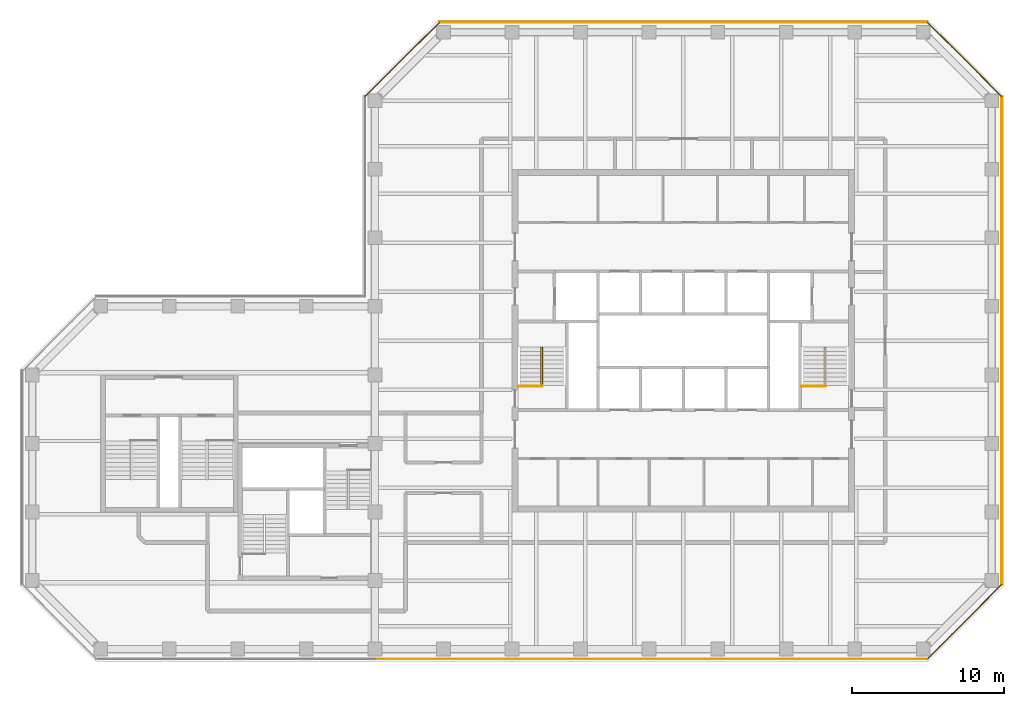
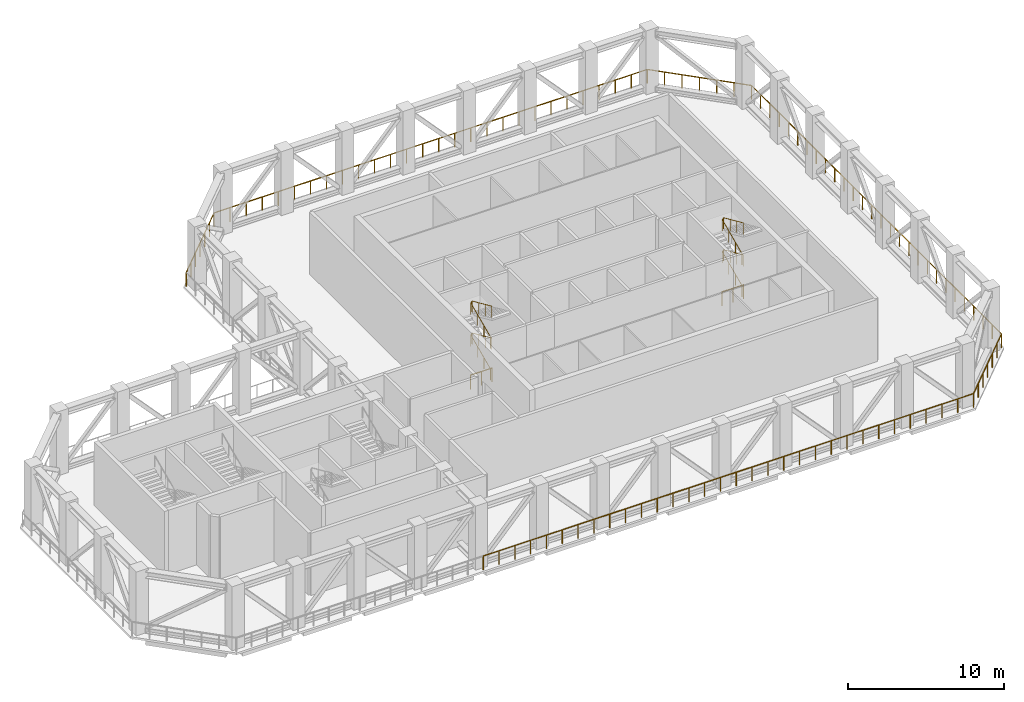
# One storey, part 13 of 13: 10 railings.
"""IFC4 building model written with IfcOpenShell, lengths in metres."""

from ifc_helpers import new_model, si_unit, direction, frame, origin, origin_2d, place, context, subcontext, project, spatial, circle, extrude, material, type_object, element, save


model = new_model("IFC4")

# Units and contexts
model_context = context("Model", 3, precision=1e-05, world=origin(), true_north=direction((0.0, 1.0)))
body_context = subcontext(model_context, "Body", "Model", "MODEL_VIEW")
ifc_project = project(units=[si_unit("LENGTHUNIT", "METRE"), si_unit("AREAUNIT", "SQUARE_METRE"), si_unit("VOLUMEUNIT", "CUBIC_METRE"), si_unit("PLANEANGLEUNIT", "RADIAN"), si_unit("MASSUNIT", "GRAM", prefix="KILO")], contexts=[model_context])

# Site, building, storey
site_placement = place(None, origin())
site = spatial("IfcSite", under=ifc_project, at=site_placement, CompositionType="ELEMENT")
building_placement = place(site_placement, origin())
building = spatial("IfcBuilding", under=site, at=building_placement, Name="Quoin Convention Tower", CompositionType="ELEMENT")
storey_placement = place(building_placement, frame((0.0, 0.0, 206.89990234375)))
storey = spatial("IfcBuildingStorey", under=building, at=storey_placement, Name="L54", CompositionType="ELEMENT", Elevation=206.89990234375)

# Railings
ifc_material = material(Name="Stainless steel", Category="steel")
railing_type_1 = type_object("IfcRailingType", Name="Guard 1100", PredefinedType="GUARDRAIL", material=ifc_material)
railing_1_placement = place(storey_placement, frame((36.0, 39.85009765625, 0.0)))
element("IfcRailing", 1, at=railing_1_placement, inside=storey, type_object=railing_type_1, Name="grd-L54-36000_40500", PredefinedType="GUARDRAIL", context=body_context, shape_type="SweptSolid", body=[
    extrude(circle(Radius=0.02392578125, at=origin_2d()), frame((0.0, 0.0, 1.076171875), z_axis=(1.0, 0.0, 0.0), x_axis=(0.0, 1.0, 0.0)), (0.0, 0.0, 1.0), 36.269287109375),
    extrude(circle(Radius=0.02099609375, at=origin_2d()), origin(), (0.0, 0.0, 1.0), 1.052001953125),
    extrude(circle(Radius=0.02099609375, at=origin_2d()), frame((1.169921875, 0.0, 0.0)), (0.0, 0.0, 1.0), 1.052001953125),
    extrude(circle(Radius=0.02099609375, at=origin_2d()), frame((2.33984375, 0.0, 0.0)), (0.0, 0.0, 1.0), 1.052001953125),
    extrude(circle(Radius=0.02099609375, at=origin_2d()), frame((3.510009765625, 0.0, 0.0)), (0.0, 0.0, 1.0), 1.052001953125),
    extrude(circle(Radius=0.02099609375, at=origin_2d()), frame((4.679931640625, 0.0, 0.0)), (0.0, 0.0, 1.0), 1.052001953125),
    extrude(circle(Radius=0.02099609375, at=origin_2d()), frame((5.849853515625, 0.0, 0.0)), (0.0, 0.0, 1.0), 1.052001953125),
    extrude(circle(Radius=0.02099609375, at=origin_2d()), frame((7.019775390625, 0.0, 0.0)), (0.0, 0.0, 1.0), 1.052001953125),
    extrude(circle(Radius=0.02099609375, at=origin_2d()), frame((8.18994140625, 0.0, 0.0)), (0.0, 0.0, 1.0), 1.052001953125),
    extrude(circle(Radius=0.02099609375, at=origin_2d()), frame((9.35986328125, 0.0, 0.0)), (0.0, 0.0, 1.0), 1.052001953125),
    extrude(circle(Radius=0.02099609375, at=origin_2d()), frame((10.52978515625, 0.0, 0.0)), (0.0, 0.0, 1.0), 1.052001953125),
    extrude(circle(Radius=0.02099609375, at=origin_2d()), frame((11.69970703125, 0.0, 0.0)), (0.0, 0.0, 1.0), 1.052001953125),
    extrude(circle(Radius=0.02099609375, at=origin_2d()), frame((12.86962890625, 0.0, 0.0)), (0.0, 0.0, 1.0), 1.052001953125),
    extrude(circle(Radius=0.02099609375, at=origin_2d()), frame((14.039794921875, 0.0, 0.0)), (0.0, 0.0, 1.0), 1.052001953125),
    extrude(circle(Radius=0.02099609375, at=origin_2d()), frame((15.209716796875, 0.0, 0.0)), (0.0, 0.0, 1.0), 1.052001953125),
    extrude(circle(Radius=0.02099609375, at=origin_2d()), frame((16.379638671875, 0.0, 0.0)), (0.0, 0.0, 1.0), 1.052001953125),
    extrude(circle(Radius=0.02099609375, at=origin_2d()), frame((17.549560546875, 0.0, 0.0)), (0.0, 0.0, 1.0), 1.052001953125),
    extrude(circle(Radius=0.02099609375, at=origin_2d()), frame((18.7197265625, 0.0, 0.0)), (0.0, 0.0, 1.0), 1.052001953125),
    extrude(circle(Radius=0.02099609375, at=origin_2d()), frame((19.8896484375, 0.0, 0.0)), (0.0, 0.0, 1.0), 1.052001953125),
    extrude(circle(Radius=0.02099609375, at=origin_2d()), frame((21.0595703125, 0.0, 0.0)), (0.0, 0.0, 1.0), 1.052001953125),
    extrude(circle(Radius=0.02099609375, at=origin_2d()), frame((22.2294921875, 0.0, 0.0)), (0.0, 0.0, 1.0), 1.052001953125),
    extrude(circle(Radius=0.02099609375, at=origin_2d()), frame((23.399658203125, 0.0, 0.0)), (0.0, 0.0, 1.0), 1.052001953125),
    extrude(circle(Radius=0.02099609375, at=origin_2d()), frame((24.569580078125, 0.0, 0.0)), (0.0, 0.0, 1.0), 1.052001953125),
    extrude(circle(Radius=0.02099609375, at=origin_2d()), frame((25.739501953125, 0.0, 0.0)), (0.0, 0.0, 1.0), 1.052001953125),
    extrude(circle(Radius=0.02099609375, at=origin_2d()), frame((26.909423828125, 0.0, 0.0)), (0.0, 0.0, 1.0), 1.052001953125),
    extrude(circle(Radius=0.02099609375, at=origin_2d()), frame((28.079345703125, 0.0, 0.0)), (0.0, 0.0, 1.0), 1.052001953125),
    extrude(circle(Radius=0.02099609375, at=origin_2d()), frame((29.24951171875, 0.0, 0.0)), (0.0, 0.0, 1.0), 1.052001953125),
    extrude(circle(Radius=0.02099609375, at=origin_2d()), frame((30.41943359375, 0.0, 0.0)), (0.0, 0.0, 1.0), 1.052001953125),
    extrude(circle(Radius=0.02099609375, at=origin_2d()), frame((31.58935546875, 0.0, 0.0)), (0.0, 0.0, 1.0), 1.052001953125),
    extrude(circle(Radius=0.02099609375, at=origin_2d()), frame((32.75927734375, 0.0, 0.0)), (0.0, 0.0, 1.0), 1.052001953125),
    extrude(circle(Radius=0.02099609375, at=origin_2d()), frame((33.929443359375, 0.0, 0.0)), (0.0, 0.0, 1.0), 1.052001953125),
    extrude(circle(Radius=0.02099609375, at=origin_2d()), frame((35.099365234375, 0.0, 0.0)), (0.0, 0.0, 1.0), 1.052001953125),
    extrude(circle(Radius=0.02099609375, at=origin_2d()), frame((36.269287109375, 0.0, 0.0)), (0.0, 0.0, 1.0), 1.052001953125),
])
railing_2_placement = place(storey_placement, frame((72.269287109375, 39.85009765625, 0.0)))
element("IfcRailing", 2, at=railing_2_placement, inside=storey, type_object=railing_type_1, Name="grd-L54-72000_40500", PredefinedType="GUARDRAIL", context=body_context, shape_type="SweptSolid", body=[
    extrude(circle(Radius=0.02392578125, at=origin_2d()), frame((0.0, 0.0, 1.076171875), z_axis=(0.707106781187, 0.707106781187, 0.0), x_axis=(-0.707106781187, 0.707106781187, 0.0)), (0.0, 0.0, 1.0), 6.90234375),
    extrude(circle(Radius=0.02099609375, at=origin_2d()), origin(), (0.0, 0.0, 1.0), 1.052001953125),
    extrude(circle(Radius=0.02099609375, at=origin_2d()), frame((0.8134765625, 0.8134765625, 0.0)), (0.0, 0.0, 1.0), 1.052001953125),
    extrude(circle(Radius=0.02099609375, at=origin_2d()), frame((1.626953125, 1.626953125, 0.0)), (0.0, 0.0, 1.0), 1.052001953125),
    extrude(circle(Radius=0.02099609375, at=origin_2d()), frame((2.4404296875, 2.4404296875, 0.0)), (0.0, 0.0, 1.0), 1.052001953125),
    extrude(circle(Radius=0.02099609375, at=origin_2d()), frame((3.253662109375, 3.253662109375, 0.0)), (0.0, 0.0, 1.0), 1.052001953125),
    extrude(circle(Radius=0.02099609375, at=origin_2d()), frame((4.067138671875, 4.067138671875, 0.0)), (0.0, 0.0, 1.0), 1.052001953125),
    extrude(circle(Radius=0.02099609375, at=origin_2d()), frame((4.880615234375, 4.880615234375, 0.0)), (0.0, 0.0, 1.0), 1.052001953125),
])
railing_3_placement = place(storey_placement, frame((77.14990234375, 44.730712890625, 0.0)))
element("IfcRailing", 3, at=railing_3_placement, inside=storey, type_object=railing_type_1, Name="grd-L54-76500_45000", PredefinedType="GUARDRAIL", context=body_context, shape_type="SweptSolid", body=[
    extrude(circle(Radius=0.02392578125, at=origin_2d()), frame((0.0, 0.0, 1.076171875), z_axis=(0.0, 1.0, 0.0), x_axis=(-1.0, 0.0, 0.0)), (0.0, 0.0, 1.0), 32.03857421875),
    extrude(circle(Radius=0.02099609375, at=origin_2d()), origin(), (0.0, 0.0, 1.0), 1.052001953125),
    extrude(circle(Radius=0.02099609375, at=origin_2d()), frame((0.0, 1.1865234375, 0.0)), (0.0, 0.0, 1.0), 1.052001953125),
    extrude(circle(Radius=0.02099609375, at=origin_2d()), frame((0.0, 2.373291015625, 0.0)), (0.0, 0.0, 1.0), 1.052001953125),
    extrude(circle(Radius=0.02099609375, at=origin_2d()), frame((0.0, 3.559814453125, 0.0)), (0.0, 0.0, 1.0), 1.052001953125),
    extrude(circle(Radius=0.02099609375, at=origin_2d()), frame((0.0, 4.746337890625, 0.0)), (0.0, 0.0, 1.0), 1.052001953125),
    extrude(circle(Radius=0.02099609375, at=origin_2d()), frame((0.0, 5.93310546875, 0.0)), (0.0, 0.0, 1.0), 1.052001953125),
    extrude(circle(Radius=0.02099609375, at=origin_2d()), frame((0.0, 7.11962890625, 0.0)), (0.0, 0.0, 1.0), 1.052001953125),
    extrude(circle(Radius=0.02099609375, at=origin_2d()), frame((0.0, 8.306396484375, 0.0)), (0.0, 0.0, 1.0), 1.052001953125),
    extrude(circle(Radius=0.02099609375, at=origin_2d()), frame((0.0, 9.492919921875, 0.0)), (0.0, 0.0, 1.0), 1.052001953125),
    extrude(circle(Radius=0.02099609375, at=origin_2d()), frame((0.0, 10.679443359375, 0.0)), (0.0, 0.0, 1.0), 1.052001953125),
    extrude(circle(Radius=0.02099609375, at=origin_2d()), frame((0.0, 11.8662109375, 0.0)), (0.0, 0.0, 1.0), 1.052001953125),
    extrude(circle(Radius=0.02099609375, at=origin_2d()), frame((0.0, 13.052734375, 0.0)), (0.0, 0.0, 1.0), 1.052001953125),
    extrude(circle(Radius=0.02099609375, at=origin_2d()), frame((0.0, 14.2392578125, 0.0)), (0.0, 0.0, 1.0), 1.052001953125),
    extrude(circle(Radius=0.02099609375, at=origin_2d()), frame((0.0, 15.426025390625, 0.0)), (0.0, 0.0, 1.0), 1.052001953125),
    extrude(circle(Radius=0.02099609375, at=origin_2d()), frame((0.0, 16.612548828125, 0.0)), (0.0, 0.0, 1.0), 1.052001953125),
    extrude(circle(Radius=0.02099609375, at=origin_2d()), frame((0.0, 17.79931640625, 0.0)), (0.0, 0.0, 1.0), 1.052001953125),
    extrude(circle(Radius=0.02099609375, at=origin_2d()), frame((0.0, 18.98583984375, 0.0)), (0.0, 0.0, 1.0), 1.052001953125),
    extrude(circle(Radius=0.02099609375, at=origin_2d()), frame((0.0, 20.17236328125, 0.0)), (0.0, 0.0, 1.0), 1.052001953125),
    extrude(circle(Radius=0.02099609375, at=origin_2d()), frame((0.0, 21.359130859375, 0.0)), (0.0, 0.0, 1.0), 1.052001953125),
    extrude(circle(Radius=0.02099609375, at=origin_2d()), frame((0.0, 22.545654296875, 0.0)), (0.0, 0.0, 1.0), 1.052001953125),
    extrude(circle(Radius=0.02099609375, at=origin_2d()), frame((0.0, 23.732177734375, 0.0)), (0.0, 0.0, 1.0), 1.052001953125),
    extrude(circle(Radius=0.02099609375, at=origin_2d()), frame((0.0, 24.9189453125, 0.0)), (0.0, 0.0, 1.0), 1.052001953125),
    extrude(circle(Radius=0.02099609375, at=origin_2d()), frame((0.0, 26.10546875, 0.0)), (0.0, 0.0, 1.0), 1.052001953125),
    extrude(circle(Radius=0.02099609375, at=origin_2d()), frame((0.0, 27.292236328125, 0.0)), (0.0, 0.0, 1.0), 1.052001953125),
    extrude(circle(Radius=0.02099609375, at=origin_2d()), frame((0.0, 28.478759765625, 0.0)), (0.0, 0.0, 1.0), 1.052001953125),
    extrude(circle(Radius=0.02099609375, at=origin_2d()), frame((0.0, 29.665283203125, 0.0)), (0.0, 0.0, 1.0), 1.052001953125),
    extrude(circle(Radius=0.02099609375, at=origin_2d()), frame((0.0, 30.85205078125, 0.0)), (0.0, 0.0, 1.0), 1.052001953125),
    extrude(circle(Radius=0.02099609375, at=origin_2d()), frame((0.0, 32.03857421875, 0.0)), (0.0, 0.0, 1.0), 1.052001953125),
])
railing_4_placement = place(storey_placement, frame((77.14990234375, 76.769287109375, 0.0)))
element("IfcRailing", 4, at=railing_4_placement, inside=storey, type_object=railing_type_1, Name="grd-L54-76500_76500", PredefinedType="GUARDRAIL", context=body_context, shape_type="SweptSolid", body=[
    extrude(circle(Radius=0.02392578125, at=origin_2d()), frame((0.0, 0.0, 1.076171875), z_axis=(-0.707106781187, 0.707106781187, 0.0), x_axis=(-0.707106781187, -0.707106781187, 0.0)), (0.0, 0.0, 1.0), 6.90234375),
    extrude(circle(Radius=0.02099609375, at=origin_2d()), origin(), (0.0, 0.0, 1.0), 1.052001953125),
    extrude(circle(Radius=0.02099609375, at=origin_2d()), frame((-0.8134765625, 0.8134765625, 0.0)), (0.0, 0.0, 1.0), 1.052001953125),
    extrude(circle(Radius=0.02099609375, at=origin_2d()), frame((-1.626953125, 1.626953125, 0.0)), (0.0, 0.0, 1.0), 1.052001953125),
    extrude(circle(Radius=0.02099609375, at=origin_2d()), frame((-2.4404296875, 2.4404296875, 0.0)), (0.0, 0.0, 1.0), 1.052001953125),
    extrude(circle(Radius=0.02099609375, at=origin_2d()), frame((-3.253662109375, 3.253662109375, 0.0)), (0.0, 0.0, 1.0), 1.052001953125),
    extrude(circle(Radius=0.02099609375, at=origin_2d()), frame((-4.067138671875, 4.067138671875, 0.0)), (0.0, 0.0, 1.0), 1.052001953125),
    extrude(circle(Radius=0.02099609375, at=origin_2d()), frame((-4.880615234375, 4.880615234375, 0.0)), (0.0, 0.0, 1.0), 1.052001953125),
])
railing_5_placement = place(storey_placement, frame((72.269287109375, 81.64990234375, 0.0)))
element("IfcRailing", 5, at=railing_5_placement, inside=storey, type_object=railing_type_1, Name="grd-L54-72000_81000", PredefinedType="GUARDRAIL", context=body_context, shape_type="SweptSolid", body=[
    extrude(circle(Radius=0.02392578125, at=origin_2d()), frame((0.0, 0.0, 1.076171875), z_axis=(-1.0, 0.0, 0.0), x_axis=(0.0, -1.0, 0.0)), (0.0, 0.0, 1.0), 32.03857421875),
    extrude(circle(Radius=0.02099609375, at=origin_2d()), origin(), (0.0, 0.0, 1.0), 1.052001953125),
    extrude(circle(Radius=0.02099609375, at=origin_2d()), frame((-1.1865234375, 0.0, 0.0)), (0.0, 0.0, 1.0), 1.052001953125),
    extrude(circle(Radius=0.02099609375, at=origin_2d()), frame((-2.373291015625, 0.0, 0.0)), (0.0, 0.0, 1.0), 1.052001953125),
    extrude(circle(Radius=0.02099609375, at=origin_2d()), frame((-3.559814453125, 0.0, 0.0)), (0.0, 0.0, 1.0), 1.052001953125),
    extrude(circle(Radius=0.02099609375, at=origin_2d()), frame((-4.746337890625, 0.0, 0.0)), (0.0, 0.0, 1.0), 1.052001953125),
    extrude(circle(Radius=0.02099609375, at=origin_2d()), frame((-5.93310546875, 0.0, 0.0)), (0.0, 0.0, 1.0), 1.052001953125),
    extrude(circle(Radius=0.02099609375, at=origin_2d()), frame((-7.11962890625, 0.0, 0.0)), (0.0, 0.0, 1.0), 1.052001953125),
    extrude(circle(Radius=0.02099609375, at=origin_2d()), frame((-8.306396484375, 0.0, 0.0)), (0.0, 0.0, 1.0), 1.052001953125),
    extrude(circle(Radius=0.02099609375, at=origin_2d()), frame((-9.492919921875, 0.0, 0.0)), (0.0, 0.0, 1.0), 1.052001953125),
    extrude(circle(Radius=0.02099609375, at=origin_2d()), frame((-10.679443359375, 0.0, 0.0)), (0.0, 0.0, 1.0), 1.052001953125),
    extrude(circle(Radius=0.02099609375, at=origin_2d()), frame((-11.8662109375, 0.0, 0.0)), (0.0, 0.0, 1.0), 1.052001953125),
    extrude(circle(Radius=0.02099609375, at=origin_2d()), frame((-13.052734375, 0.0, 0.0)), (0.0, 0.0, 1.0), 1.052001953125),
    extrude(circle(Radius=0.02099609375, at=origin_2d()), frame((-14.2392578125, 0.0, 0.0)), (0.0, 0.0, 1.0), 1.052001953125),
    extrude(circle(Radius=0.02099609375, at=origin_2d()), frame((-15.426025390625, 0.0, 0.0)), (0.0, 0.0, 1.0), 1.052001953125),
    extrude(circle(Radius=0.02099609375, at=origin_2d()), frame((-16.612548828125, 0.0, 0.0)), (0.0, 0.0, 1.0), 1.052001953125),
    extrude(circle(Radius=0.02099609375, at=origin_2d()), frame((-17.79931640625, 0.0, 0.0)), (0.0, 0.0, 1.0), 1.052001953125),
    extrude(circle(Radius=0.02099609375, at=origin_2d()), frame((-18.98583984375, 0.0, 0.0)), (0.0, 0.0, 1.0), 1.052001953125),
    extrude(circle(Radius=0.02099609375, at=origin_2d()), frame((-20.17236328125, 0.0, 0.0)), (0.0, 0.0, 1.0), 1.052001953125),
    extrude(circle(Radius=0.02099609375, at=origin_2d()), frame((-21.359130859375, 0.0, 0.0)), (0.0, 0.0, 1.0), 1.052001953125),
    extrude(circle(Radius=0.02099609375, at=origin_2d()), frame((-22.545654296875, 0.0, 0.0)), (0.0, 0.0, 1.0), 1.052001953125),
    extrude(circle(Radius=0.02099609375, at=origin_2d()), frame((-23.732177734375, 0.0, 0.0)), (0.0, 0.0, 1.0), 1.052001953125),
    extrude(circle(Radius=0.02099609375, at=origin_2d()), frame((-24.9189453125, 0.0, 0.0)), (0.0, 0.0, 1.0), 1.052001953125),
    extrude(circle(Radius=0.02099609375, at=origin_2d()), frame((-26.10546875, 0.0, 0.0)), (0.0, 0.0, 1.0), 1.052001953125),
    extrude(circle(Radius=0.02099609375, at=origin_2d()), frame((-27.292236328125, 0.0, 0.0)), (0.0, 0.0, 1.0), 1.052001953125),
    extrude(circle(Radius=0.02099609375, at=origin_2d()), frame((-28.478759765625, 0.0, 0.0)), (0.0, 0.0, 1.0), 1.052001953125),
    extrude(circle(Radius=0.02099609375, at=origin_2d()), frame((-29.665283203125, 0.0, 0.0)), (0.0, 0.0, 1.0), 1.052001953125),
    extrude(circle(Radius=0.02099609375, at=origin_2d()), frame((-30.85205078125, 0.0, 0.0)), (0.0, 0.0, 1.0), 1.052001953125),
    extrude(circle(Radius=0.02099609375, at=origin_2d()), frame((-32.03857421875, 0.0, 0.0)), (0.0, 0.0, 1.0), 1.052001953125),
])
railing_6_placement = place(storey_placement, frame((40.230712890625, 81.64990234375, 0.0)))
element("IfcRailing", 6, at=railing_6_placement, inside=storey, type_object=railing_type_1, Name="grd-L54-40500_81000", PredefinedType="GUARDRAIL", context=body_context, shape_type="SweptSolid", body=[
    extrude(circle(Radius=0.02392578125, at=origin_2d()), frame((0.0, 0.0, 1.076171875), z_axis=(-0.707106781187, -0.707106781187, 0.0), x_axis=(0.707106781187, -0.707106781187, 0.0)), (0.0, 0.0, 1.0), 6.90234375),
    extrude(circle(Radius=0.02099609375, at=origin_2d()), origin(), (0.0, 0.0, 1.0), 1.052001953125),
    extrude(circle(Radius=0.02099609375, at=origin_2d()), frame((-0.8134765625, -0.8134765625, 0.0)), (0.0, 0.0, 1.0), 1.052001953125),
    extrude(circle(Radius=0.02099609375, at=origin_2d()), frame((-1.626953125, -1.626953125, 0.0)), (0.0, 0.0, 1.0), 1.052001953125),
    extrude(circle(Radius=0.02099609375, at=origin_2d()), frame((-2.4404296875, -2.4404296875, 0.0)), (0.0, 0.0, 1.0), 1.052001953125),
    extrude(circle(Radius=0.02099609375, at=origin_2d()), frame((-3.253662109375, -3.253662109375, 0.0)), (0.0, 0.0, 1.0), 1.052001953125),
    extrude(circle(Radius=0.02099609375, at=origin_2d()), frame((-4.067138671875, -4.067138671875, 0.0)), (0.0, 0.0, 1.0), 1.052001953125),
    extrude(circle(Radius=0.02099609375, at=origin_2d()), frame((-4.880615234375, -4.880615234375, 0.0)), (0.0, 0.0, 1.0), 1.052001953125),
])
railing_type_2 = type_object("IfcRailingType", Name="Stair handrail 900", PredefinedType="HANDRAIL", material=ifc_material)
railing_7_placement = place(storey_placement, frame((46.905029296875, 57.800048828125, 0.125)))
element("IfcRailing", 7, at=railing_7_placement, inside=storey, type_object=railing_type_2, Name="SD1 handrail 1", PredefinedType="HANDRAIL", context=body_context, shape_type="SweptSolid", body=[
    extrude(circle(Radius=0.02392578125, at=origin_2d()), frame((0.0, 0.0, 0.8759765625), z_axis=(0.0, 0.913139058521, 0.407648205936), x_axis=(-1.0, 0.0, 0.0)), (0.0, 0.0, 1.0), 2.759765625),
    extrude(circle(Radius=0.02392578125, at=origin_2d()), frame((0.0, 2.52001953125, 2.0009765625), z_axis=(0.584680334893, 0.0, 0.811263770909), x_axis=(0.0, 1.0, 0.0)), (0.0, 0.0, 1.0), 0.154052734375),
    extrude(circle(Radius=0.02392578125, at=origin_2d()), frame((0.090087890625, 2.52001953125, 2.1259765625), z_axis=(0.0, -0.913139058521, 0.407648205936), x_axis=(1.0, 0.0, 0.0)), (0.0, 0.0, 1.0), 2.759765625),
    extrude(circle(Radius=0.02392578125, at=origin_2d()), frame((0.090087890625, 0.0, 3.2509765625), z_axis=(-0.584680334893, 0.0, 0.811263770909), x_axis=(0.0, -1.0, 0.0)), (0.0, 0.0, 1.0), 0.154052734375),
    extrude(circle(Radius=0.02392578125, at=origin_2d()), frame((0.0, 0.0, 3.3759765625), z_axis=(0.0, 0.913139058521, 0.407648205936), x_axis=(-1.0, 0.0, 0.0)), (0.0, 0.0, 1.0), 2.759765625),
    extrude(circle(Radius=0.02392578125, at=origin_2d()), frame((0.0, 2.52001953125, 4.5009765625), z_axis=(0.584680334893, 0.0, 0.811263770909), x_axis=(0.0, 1.0, 0.0)), (0.0, 0.0, 1.0), 0.154052734375),
    extrude(circle(Radius=0.02392578125, at=origin_2d()), frame((0.090087890625, 2.52001953125, 4.6259765625), z_axis=(0.0, -0.913139058521, 0.407648205936), x_axis=(1.0, 0.0, 0.0)), (0.0, 0.0, 1.0), 2.759765625),
    extrude(circle(Radius=0.02099609375, at=origin_2d()), origin(), (0.0, 0.0, 1.0), 0.851806640625),
    extrude(circle(Radius=0.02099609375, at=origin_2d()), frame((0.0, 0.840087890625, 0.375)), (0.0, 0.0, 1.0), 0.851806640625),
    extrude(circle(Radius=0.02099609375, at=origin_2d()), frame((0.0, 1.679931640625, 0.75)), (0.0, 0.0, 1.0), 0.851806640625),
    extrude(circle(Radius=0.02099609375, at=origin_2d()), frame((0.0, 2.52001953125, 1.125)), (0.0, 0.0, 1.0), 0.851806640625),
    extrude(circle(Radius=0.02099609375, at=origin_2d()), frame((0.090087890625, 2.52001953125, 1.25)), (0.0, 0.0, 1.0), 0.851806640625),
    extrude(circle(Radius=0.02099609375, at=origin_2d()), frame((0.090087890625, 1.679931640625, 1.625)), (0.0, 0.0, 1.0), 0.851806640625),
    extrude(circle(Radius=0.02099609375, at=origin_2d()), frame((0.090087890625, 0.840087890625, 2.0)), (0.0, 0.0, 1.0), 0.851806640625),
    extrude(circle(Radius=0.02099609375, at=origin_2d()), frame((0.090087890625, 0.0, 2.375)), (0.0, 0.0, 1.0), 0.851806640625),
    extrude(circle(Radius=0.02099609375, at=origin_2d()), frame((0.0, 0.0, 2.5)), (0.0, 0.0, 1.0), 0.851806640625),
    extrude(circle(Radius=0.02099609375, at=origin_2d()), frame((0.0, 0.840087890625, 2.875)), (0.0, 0.0, 1.0), 0.851806640625),
    extrude(circle(Radius=0.02099609375, at=origin_2d()), frame((0.0, 1.679931640625, 3.25)), (0.0, 0.0, 1.0), 0.851806640625),
    extrude(circle(Radius=0.02099609375, at=origin_2d()), frame((0.0, 2.52001953125, 3.625)), (0.0, 0.0, 1.0), 0.851806640625),
    extrude(circle(Radius=0.02099609375, at=origin_2d()), frame((0.090087890625, 2.52001953125, 3.75)), (0.0, 0.0, 1.0), 0.851806640625),
    extrude(circle(Radius=0.02099609375, at=origin_2d()), frame((0.090087890625, 1.679931640625, 4.125)), (0.0, 0.0, 1.0), 0.851806640625),
    extrude(circle(Radius=0.02099609375, at=origin_2d()), frame((0.090087890625, 0.840087890625, 4.5)), (0.0, 0.0, 1.0), 0.851806640625),
    extrude(circle(Radius=0.02099609375, at=origin_2d()), frame((0.090087890625, 0.0, 4.875)), (0.0, 0.0, 1.0), 0.851806640625),
])
railing_8_placement = place(storey_placement, frame((65.5048828125, 57.800048828125, 0.125)))
element("IfcRailing", 8, at=railing_8_placement, inside=storey, type_object=railing_type_2, Name="SD2 handrail 1", PredefinedType="HANDRAIL", context=body_context, shape_type="SweptSolid", body=[
    extrude(circle(Radius=0.02392578125, at=origin_2d()), frame((0.0, 0.0, 0.8759765625), z_axis=(0.0, 0.913139058521, 0.407648205936), x_axis=(-1.0, 0.0, 0.0)), (0.0, 0.0, 1.0), 2.759765625),
    extrude(circle(Radius=0.02392578125, at=origin_2d()), frame((0.0, 2.52001953125, 2.0009765625), z_axis=(0.584680334893, 0.0, 0.811263770909), x_axis=(0.0, 1.0, 0.0)), (0.0, 0.0, 1.0), 0.154052734375),
    extrude(circle(Radius=0.02392578125, at=origin_2d()), frame((0.090087890625, 2.52001953125, 2.1259765625), z_axis=(0.0, -0.913139058521, 0.407648205936), x_axis=(1.0, 0.0, 0.0)), (0.0, 0.0, 1.0), 2.759765625),
    extrude(circle(Radius=0.02392578125, at=origin_2d()), frame((0.090087890625, 0.0, 3.2509765625), z_axis=(-0.584680334893, 0.0, 0.811263770909), x_axis=(0.0, -1.0, 0.0)), (0.0, 0.0, 1.0), 0.154052734375),
    extrude(circle(Radius=0.02392578125, at=origin_2d()), frame((0.0, 0.0, 3.3759765625), z_axis=(0.0, 0.913139058521, 0.407648205936), x_axis=(-1.0, 0.0, 0.0)), (0.0, 0.0, 1.0), 2.759765625),
    extrude(circle(Radius=0.02392578125, at=origin_2d()), frame((0.0, 2.52001953125, 4.5009765625), z_axis=(0.584680334893, 0.0, 0.811263770909), x_axis=(0.0, 1.0, 0.0)), (0.0, 0.0, 1.0), 0.154052734375),
    extrude(circle(Radius=0.02392578125, at=origin_2d()), frame((0.090087890625, 2.52001953125, 4.6259765625), z_axis=(0.0, -0.913139058521, 0.407648205936), x_axis=(1.0, 0.0, 0.0)), (0.0, 0.0, 1.0), 2.759765625),
    extrude(circle(Radius=0.02099609375, at=origin_2d()), origin(), (0.0, 0.0, 1.0), 0.851806640625),
    extrude(circle(Radius=0.02099609375, at=origin_2d()), frame((0.0, 0.840087890625, 0.375)), (0.0, 0.0, 1.0), 0.851806640625),
    extrude(circle(Radius=0.02099609375, at=origin_2d()), frame((0.0, 1.679931640625, 0.75)), (0.0, 0.0, 1.0), 0.851806640625),
    extrude(circle(Radius=0.02099609375, at=origin_2d()), frame((0.0, 2.52001953125, 1.125)), (0.0, 0.0, 1.0), 0.851806640625),
    extrude(circle(Radius=0.02099609375, at=origin_2d()), frame((0.090087890625, 2.52001953125, 1.25)), (0.0, 0.0, 1.0), 0.851806640625),
    extrude(circle(Radius=0.02099609375, at=origin_2d()), frame((0.090087890625, 1.679931640625, 1.625)), (0.0, 0.0, 1.0), 0.851806640625),
    extrude(circle(Radius=0.02099609375, at=origin_2d()), frame((0.090087890625, 0.840087890625, 2.0)), (0.0, 0.0, 1.0), 0.851806640625),
    extrude(circle(Radius=0.02099609375, at=origin_2d()), frame((0.090087890625, 0.0, 2.375)), (0.0, 0.0, 1.0), 0.851806640625),
    extrude(circle(Radius=0.02099609375, at=origin_2d()), frame((0.0, 0.0, 2.5)), (0.0, 0.0, 1.0), 0.851806640625),
    extrude(circle(Radius=0.02099609375, at=origin_2d()), frame((0.0, 0.840087890625, 2.875)), (0.0, 0.0, 1.0), 0.851806640625),
    extrude(circle(Radius=0.02099609375, at=origin_2d()), frame((0.0, 1.679931640625, 3.25)), (0.0, 0.0, 1.0), 0.851806640625),
    extrude(circle(Radius=0.02099609375, at=origin_2d()), frame((0.0, 2.52001953125, 3.625)), (0.0, 0.0, 1.0), 0.851806640625),
    extrude(circle(Radius=0.02099609375, at=origin_2d()), frame((0.090087890625, 2.52001953125, 3.75)), (0.0, 0.0, 1.0), 0.851806640625),
    extrude(circle(Radius=0.02099609375, at=origin_2d()), frame((0.090087890625, 1.679931640625, 4.125)), (0.0, 0.0, 1.0), 0.851806640625),
    extrude(circle(Radius=0.02099609375, at=origin_2d()), frame((0.090087890625, 0.840087890625, 4.5)), (0.0, 0.0, 1.0), 0.851806640625),
    extrude(circle(Radius=0.02099609375, at=origin_2d()), frame((0.090087890625, 0.0, 4.875)), (0.0, 0.0, 1.0), 0.851806640625),
])
railing_type_3 = type_object("IfcRailingType", Name="Stair top guard 1100", PredefinedType="GUARDRAIL", material=ifc_material)
railing_9_placement = place(storey_placement, frame((45.39990234375, 57.75, 0.0)))
element("IfcRailing", 9, at=railing_9_placement, inside=storey, type_object=railing_type_3, Name="SD1 top guard", PredefinedType="GUARDRAIL", context=body_context, shape_type="SweptSolid", body=[
    extrude(circle(Radius=0.02392578125, at=origin_2d()), frame((0.0, 0.0, 1.076171875), z_axis=(1.0, 0.0, 0.0), x_axis=(0.0, 1.0, 0.0)), (0.0, 0.0, 1.0), 1.59521484375),
    extrude(circle(Radius=0.02099609375, at=origin_2d()), origin(), (0.0, 0.0, 1.0), 1.052001953125),
    extrude(circle(Radius=0.02099609375, at=origin_2d()), frame((0.797607421875, 0.0, 0.0)), (0.0, 0.0, 1.0), 1.052001953125),
    extrude(circle(Radius=0.02099609375, at=origin_2d()), frame((1.59521484375, 0.0, 0.0)), (0.0, 0.0, 1.0), 1.052001953125),
])
railing_10_placement = place(storey_placement, frame((64.0, 57.75, 0.0)))
element("IfcRailing", 10, at=railing_10_placement, inside=storey, type_object=railing_type_3, Name="SD2 top guard", PredefinedType="GUARDRAIL", context=body_context, shape_type="SweptSolid", body=[
    extrude(circle(Radius=0.02392578125, at=origin_2d()), frame((0.0, 0.0, 1.076171875), z_axis=(1.0, 0.0, 0.0), x_axis=(0.0, 1.0, 0.0)), (0.0, 0.0, 1.0), 1.594970703125),
    extrude(circle(Radius=0.02099609375, at=origin_2d()), origin(), (0.0, 0.0, 1.0), 1.052001953125),
    extrude(circle(Radius=0.02099609375, at=origin_2d()), frame((0.79736328125, 0.0, 0.0)), (0.0, 0.0, 1.0), 1.052001953125),
    extrude(circle(Radius=0.02099609375, at=origin_2d()), frame((1.594970703125, 0.0, 0.0)), (0.0, 0.0, 1.0), 1.052001953125),
])

save(model, "model.ifc")
